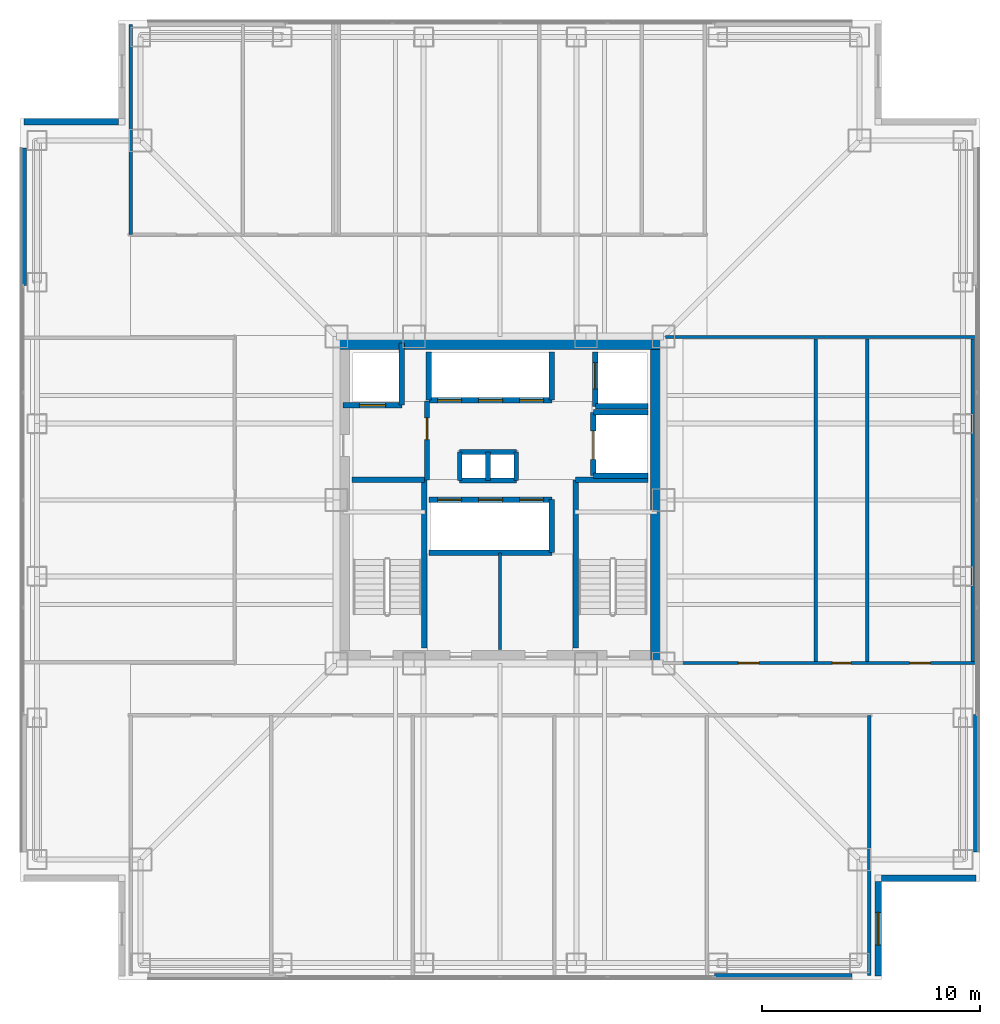
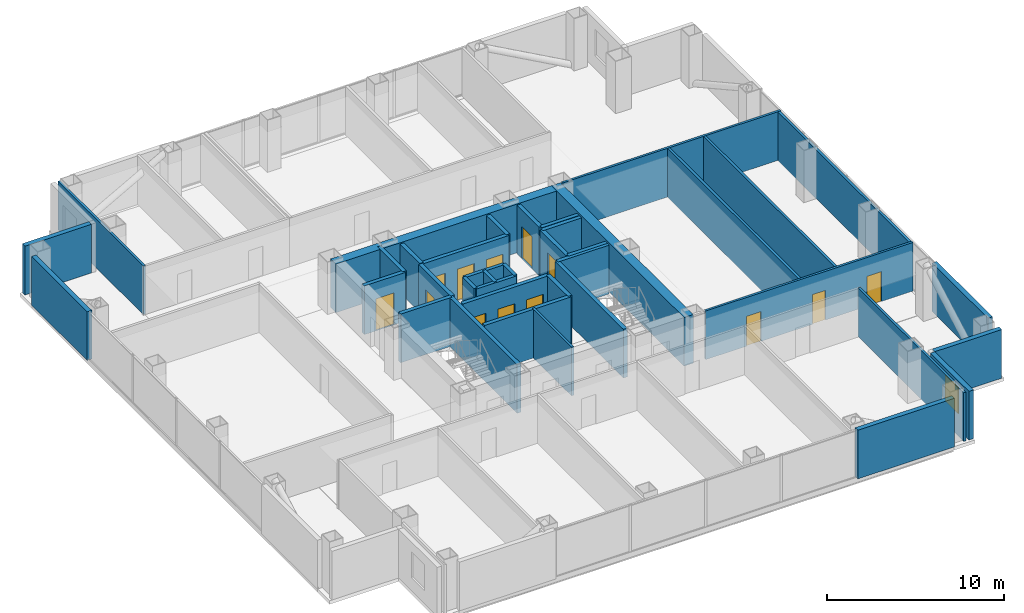
# One storey, part 9 of 13: 39 walls, 13 doors, 1 window, 14 openings.
"""IFC4 building model written with IfcOpenShell, lengths in metres."""

import ifcopenshell
import ifcopenshell.guid

model = None  # the IFC model being written
_history = None  # IfcOwnerHistory: only IFC2X3 demands one
_inside = {}  # id of a spatial element -> (the spatial element, [elements in it])
_under = {}  # id of a project, library or spatial element -> (it, [spatial elements below it])
_declared = {}  # id of a project -> (the project, [libraries it declares])
_typed = {}  # id of a type object -> (the type object, [elements of that type])
_made_of = {}  # id of a material, layer set ... -> (it, [elements and type objects made of it])


def new_model(schema):
    """Start an empty IFC model of exactly this schema.

    Asked for "IFC4X3", IfcOpenShell would pick the latest addendum, in which some entities
    have other attributes; the version numbers below select the first issue.
    IFC2X3 requires an IfcOwnerHistory on every rooted entity: one is made here for all.
    """
    global model, _history
    if schema == "IFC4X3":
        model = ifcopenshell.file(schema_version=(4, 3, 0, 0))
    else:
        model = ifcopenshell.file(schema=schema)
    _inside.clear()
    _under.clear()
    _declared.clear()
    _typed.clear()
    _made_of.clear()
    _history = None
    if model.schema == "IFC2X3":
        org = make("IfcOrganization", Name="unknown")
        user = make(
            "IfcPersonAndOrganization",
            ThePerson=make("IfcPerson", FamilyName="unknown"),
            TheOrganization=org,
        )
        app = make(
            "IfcApplication",
            ApplicationDeveloper=org,
            Version="unknown",
            ApplicationFullName="unknown",
            ApplicationIdentifier="unknown",
        )
        _history = make(
            "IfcOwnerHistory",
            OwningUser=user,
            OwningApplication=app,
            ChangeAction="ADDED",
            CreationDate=0,
        )
    return model


def make(cls, **values):
    """One entity of the class cls with the attributes given. An attribute that is None is left unset."""
    return model.create_entity(
        cls, **{name: value for name, value in values.items() if value is not None}
    )


def rooted(cls, **values):
    """An entity with a GlobalId (a new one), such as an element, a storey or a relation."""
    return make(cls, GlobalId=ifcopenshell.guid.new(), OwnerHistory=_history, **values)


def si_unit(unit_type, name, prefix=None):
    """IfcSIUnit, for example si_unit("LENGTHUNIT", "METRE", prefix="MILLI")."""
    return make("IfcSIUnit", UnitType=unit_type, Prefix=prefix, Name=name)


def assignment(units):
    """IfcUnitAssignment: the units of a project."""
    return None if units is None else make("IfcUnitAssignment", Units=units)


def point(xyz):
    """IfcCartesianPoint."""
    return None if xyz is None else make("IfcCartesianPoint", Coordinates=xyz)


def direction(xyz):
    """IfcDirection."""
    return None if xyz is None else make("IfcDirection", DirectionRatios=xyz)


def frame(location, z_axis=None, x_axis=None):
    """IfcAxis2Placement3D, a coordinate frame: its origin and axes. An axis left out is left unset."""
    return make(
        "IfcAxis2Placement3D",
        Location=point(location),
        Axis=direction(z_axis),
        RefDirection=direction(x_axis),
    )


def frame_2d(location, x_axis=None):
    """IfcAxis2Placement2D, a coordinate frame in the plane: its origin and x axis."""
    return make(
        "IfcAxis2Placement2D", Location=point(location), RefDirection=direction(x_axis)
    )


def origin():
    """The frame at (0, 0, 0) with its axes left unset."""
    return frame((0.0, 0.0, 0.0))


def place(relative_to, where):
    """IfcLocalPlacement: puts the frame where relative to a parent placement (None: the world)."""
    return make(
        "IfcLocalPlacement", PlacementRelTo=relative_to, RelativePlacement=where
    )


def context(
    kind, dimensions, precision=None, world=None, true_north=None, identifier=None
):
    """IfcGeometricRepresentationContext, for example the 3D "Model" context."""
    return make(
        "IfcGeometricRepresentationContext",
        ContextIdentifier=identifier,
        ContextType=kind,
        CoordinateSpaceDimension=dimensions,
        Precision=precision,
        WorldCoordinateSystem=world,
        TrueNorth=true_north,
    )


def subcontext(parent, identifier, kind, view, scale=None):
    """IfcGeometricRepresentationSubContext, for example "Body" below "Model"."""
    return make(
        "IfcGeometricRepresentationSubContext",
        ContextIdentifier=identifier,
        ContextType=kind,
        ParentContext=parent,
        TargetScale=scale,
        TargetView=view,
    )


def project(units=None, contexts=None):
    """IfcProject with its units and contexts."""
    return rooted(
        "IfcProject",
        Name="project",
        RepresentationContexts=contexts,
        UnitsInContext=assignment(units),
    )


def spatial(cls, under=None, at=None, **own):
    """A site, building, storey or space (cls), placed at a placement, below another one or the project."""
    s = rooted(cls, ObjectPlacement=at, **own)
    if under is not None:
        _under.setdefault(under.id(), (under, []))[1].append(s)
    return s


def profile(cls, at=None, kind="AREA", **sizes):
    """A parametric profile (cls). Its sizes go by their IFC names, for example OverallWidth=200.0."""
    return make(cls, ProfileType=kind, Position=at, **sizes)


def rectangle(**sizes):
    """IfcRectangleProfileDef."""
    return profile("IfcRectangleProfileDef", **sizes)


def extrude(swept, where, along, depth):
    """IfcExtrudedAreaSolid: the profile swept, set in the frame where, extruded along a direction by depth."""
    return make(
        "IfcExtrudedAreaSolid",
        SweptArea=swept,
        Position=where,
        ExtrudedDirection=direction(along),
        Depth=depth,
    )


def shape(context_of_items, identifier, shape_type, items):
    """IfcShapeRepresentation: the items that make up one representation, for example the "Body"."""
    return make(
        "IfcShapeRepresentation",
        ContextOfItems=context_of_items,
        RepresentationIdentifier=identifier,
        RepresentationType=shape_type,
        Items=items,
    )


def material(Name=None, Category=None):
    """IfcMaterial."""
    return make("IfcMaterial", Name=Name, Category=Category)


def layer(
    of_material, thickness, ventilated=None, Name=None, Category=None, Priority=None
):
    """IfcMaterialLayer: one layer of a wall or slab, of a material (None: an air gap)."""
    return make(
        "IfcMaterialLayer",
        Material=of_material,
        LayerThickness=thickness,
        IsVentilated=ventilated,
        Name=Name,
        Category=Category,
        Priority=Priority,
    )


def layer_set(layers, Name=None):
    """IfcMaterialLayerSet."""
    return make("IfcMaterialLayerSet", MaterialLayers=layers, LayerSetName=Name)


def made_of(thing, what):
    """Note that an element or type object is made of a material, layer set ...; save() writes the relation."""
    if what is not None:
        _made_of.setdefault(what.id(), (what, []))[1].append(thing)
    return thing


def type_object(cls, material=None, **own):
    """A type object (cls), such as IfcWallType, which elements share."""
    return made_of(rooted(cls, **own), material)


def element(
    cls,
    number,
    at=None,
    inside=None,
    cuts=None,
    type_object=None,
    material=None,
    context=None,
    identifier="Body",
    shape_type=None,
    held_by="IfcProductDefinitionShape",
    body=None,
    shapes=None,
    **own,
):
    """One element of the class cls, such as IfcWall. Its Tag is "e" and its number.

    at: its placement. inside: the storey or other place that contains it. cuts: it is an
    opening in that element (IfcRelVoidsElement). A single representation is given by context,
    identifier, shape_type and body (its items); several are given by shapes. held_by: the class
    of the entity that holds the representations. save() writes the other relations.
    """
    e = rooted(cls, Tag="e%d" % number, ObjectPlacement=at, **own)
    if body is not None:
        shapes = [shape(context, identifier, shape_type, body)]
    if shapes is not None:
        e.Representation = make(held_by, Representations=shapes)
    if inside is not None:
        _inside.setdefault(inside.id(), (inside, []))[1].append(e)
    if cuts is not None:
        rooted(
            "IfcRelVoidsElement", RelatingBuildingElement=cuts, RelatedOpeningElement=e
        )
    if type_object is not None:
        _typed.setdefault(type_object.id(), (type_object, []))[1].append(e)
    return made_of(e, material)


def fill(opening, filler):
    """IfcRelFillsElement: the door or window that sits in an opening."""
    return rooted(
        "IfcRelFillsElement",
        RelatingOpeningElement=opening,
        RelatedBuildingElement=filler,
    )


def aggregate(whole, parts):
    """IfcRelAggregates: a whole, such as a stair, and the parts it consists of."""
    return rooted("IfcRelAggregates", RelatingObject=whole, RelatedObjects=parts)


def save(model, path):
    """Write the relations noted so far, then the file.

    IfcRelAggregates (storeys below a building ...), IfcRelContainedInSpatialStructure (elements
    in a storey), IfcRelDefinesByType, IfcRelAssociatesMaterial and IfcRelDeclares: one each for
    every whole, place, type object, material and project.
    """
    for whole, parts in _under.values():
        aggregate(whole, parts)
    for where, things in _inside.values():
        rooted(
            "IfcRelContainedInSpatialStructure",
            RelatedElements=things,
            RelatingStructure=where,
        )
    for kind, things in _typed.values():
        rooted("IfcRelDefinesByType", RelatedObjects=things, RelatingType=kind)
    for what, things in _made_of.values():
        rooted("IfcRelAssociatesMaterial", RelatedObjects=things, RelatingMaterial=what)
    for by, libraries in _declared.values():
        rooted("IfcRelDeclares", RelatingContext=by, RelatedDefinitions=libraries)
    model.write(path)


model = new_model("IFC4")

# Units and contexts
model_context = context("Model", 3, precision=1e-05, world=origin(), true_north=direction((0.0, 1.0)))
body_context = subcontext(model_context, "Body", "Model", "MODEL_VIEW")
ifc_project = project(units=[si_unit("LENGTHUNIT", "METRE"), si_unit("AREAUNIT", "SQUARE_METRE"), si_unit("VOLUMEUNIT", "CUBIC_METRE"), si_unit("PLANEANGLEUNIT", "RADIAN"), si_unit("MASSUNIT", "GRAM", prefix="KILO")], contexts=[model_context])

# Site, building, storey
site_placement = place(None, origin())
site = spatial("IfcSite", under=ifc_project, at=site_placement, CompositionType="ELEMENT")
building_placement = place(site_placement, origin())
building = spatial("IfcBuilding", under=site, at=building_placement, Name="Trevonay Congress Spire", CompositionType="ELEMENT")
storey_placement = place(building_placement, frame((0.0, 0.0, 112.0)))
storey = spatial("IfcBuildingStorey", under=building, at=storey_placement, Name="L28", CompositionType="ELEMENT", Elevation=112.0)

# Walls
ifc_material_1 = material(Name="Concrete C60/75", Category="concrete")
ifc_layer_1 = layer(ifc_material_1, 0.60009765625, Name="Concrete C60/75")
ifc_layer_set_1 = layer_set([ifc_layer_1], Name="Concrete C60/75")
wall_type_1 = type_object("IfcWallType", Name="WAL-CORE-600", PredefinedType="SHEAR", material=ifc_layer_set_1)
for number, where, z_axis, x_axis, name in (
    (1, (-7.5, 7.199951171875, 0.0), (0.0, 0.0, 1.0), (1.0, 0.0, 0.0), "L28 North structural core shear wall"),
    (2, (7.199951171875, -7.5, 0.0), (0.0, 0.0, 1.0), (0.0, 1.0, 0.0), "L28 East structural core shear wall"),
):
    element("IfcWall", number, at=place(storey_placement, frame(where, z_axis=z_axis, x_axis=x_axis)), inside=storey, type_object=wall_type_1, Name=name, PredefinedType="SHEAR", context=body_context, shape_type="SweptSolid", body=[
        extrude(rectangle(XDim=15.0, YDim=0.60009765625, at=frame_2d((7.5, 0.0))), origin(), (0.0, 0.0, 1.0), 3.360107421875),
    ])

# Wall, openings, doors
ifc_material_2 = material(Name="Concrete C40/50", Category="concrete")
ifc_layer_2 = layer(ifc_material_2, 0.14990234375, Name="Concrete C40/50")
ifc_layer_set_2 = layer_set([ifc_layer_2], Name="Concrete C40/50")
wall_type_2 = type_object("IfcWallType", Name="WAL-CORR-150", PredefinedType="PARTITIONING", material=ifc_layer_set_2)
wall_1_placement = place(storey_placement, frame((8.280029296875, -7.47998046875, 0.0), z_axis=(0.0, 0.0, 1.0), x_axis=(1.0, 0.0, 0.0)))
wall_1 = element("IfcWall", 3, at=wall_1_placement, inside=storey, type_object=wall_type_2, Name="L28 interior wall WP-L28E-COR", PredefinedType="PARTITIONING", context=body_context, shape_type="SweptSolid", body=[
    extrude(rectangle(XDim=13.5400390625, YDim=0.14990234375, at=frame_2d((6.77001953125, 0.0))), origin(), (0.0, 0.0, 1.0), 3.360107421875),
])
opening_1_placement = place(wall_1_placement, frame((2.655029296875, 0.0, 0.0)))
opening_1 = element("IfcOpeningElement", 4, at=opening_1_placement, cuts=wall_1, Name="Opening D07", PredefinedType="OPENING", context=body_context, shape_type="SweptSolid", body=[
    extrude(rectangle(XDim=0.949951171875, YDim=2.06005859375, at=frame_2d((0.47509765625, 1.030029296875))), frame((0.0, 0.0849609375, 0.0), z_axis=(0.0, -1.0, 0.0), x_axis=(1.0, 0.0, 0.0)), (0.0, 0.0, 1.0), 0.169921875),
])
opening_2_placement = place(wall_1_placement, frame((6.969970703125, 0.0, 0.0)))
opening_2 = element("IfcOpeningElement", 5, at=opening_2_placement, cuts=wall_1, Name="Opening D10", PredefinedType="OPENING", context=body_context, shape_type="SweptSolid", body=[
    extrude(rectangle(XDim=0.85009765625, YDim=2.050048828125, at=frame_2d((0.425048828125, 1.02490234375))), frame((0.0, 0.0849609375, 0.0), z_axis=(0.0, -1.0, 0.0), x_axis=(1.0, 0.0, 0.0)), (0.0, 0.0, 1.0), 0.169921875),
])
opening_3_placement = place(wall_1_placement, frame((10.52001953125, 0.0, 0.0)))
opening_3 = element("IfcOpeningElement", 6, at=opening_3_placement, cuts=wall_1, Name="Opening D07", PredefinedType="OPENING", context=body_context, shape_type="SweptSolid", body=[
    extrude(rectangle(XDim=0.949951171875, YDim=2.06005859375, at=frame_2d((0.47509765625, 1.030029296875))), frame((0.0, 0.0849609375, 0.0), z_axis=(0.0, -1.0, 0.0), x_axis=(1.0, 0.0, 0.0)), (0.0, 0.0, 1.0), 0.169921875),
])
ifc_material_3 = material(Name="Pale Anodised Aluminium EN AW-6063-T6", Category="aluminium")
door_type_1 = type_object("IfcDoorType", Name="DOR-OFFICE-95", OperationType="NOTDEFINED", PredefinedType="DOOR", material=ifc_material_3)
door_1_placement = place(opening_1_placement, origin())
door_1 = element("IfcDoor", 7, at=door_1_placement, inside=storey, type_object=door_type_1, Name="L28 East Secretariat Office Door", OperationType="SINGLE_SWING_RIGHT", OverallHeight=2.06005859375, OverallWidth=0.949951171875, PredefinedType="DOOR", context=body_context, shape_type="SweptSolid", body=[
    extrude(rectangle(XDim=0.949951171875, YDim=2.06005859375, at=frame_2d((0.47509765625, 1.030029296875))), frame((0.0, 0.02490234375, 0.0), z_axis=(0.0, -1.0, 0.0), x_axis=(1.0, 0.0, 0.0)), (0.0, 0.0, 1.0), 0.050048828125),
])
fill(opening_1, door_1)
door_2_placement = place(opening_3_placement, origin())
door_2 = element("IfcDoor", 8, at=door_2_placement, inside=storey, type_object=door_type_1, Name="L28 Floor Supplies and Copy Room Door", OperationType="SINGLE_SWING_RIGHT", OverallHeight=2.06005859375, OverallWidth=0.949951171875, PredefinedType="DOOR", context=body_context, shape_type="SweptSolid", body=[
    extrude(rectangle(XDim=0.949951171875, YDim=2.06005859375, at=frame_2d((0.47509765625, 1.030029296875))), frame((0.0, 0.02490234375, 0.0), z_axis=(0.0, -1.0, 0.0), x_axis=(1.0, 0.0, 0.0)), (0.0, 0.0, 1.0), 0.050048828125),
])
fill(opening_3, door_2)
door_type_2 = type_object("IfcDoorType", Name="DOR-WC-85", OperationType="NOTDEFINED", PredefinedType="DOOR", material=ifc_material_3)
door_3_placement = place(opening_2_placement, origin())
door_3 = element("IfcDoor", 9, at=door_3_placement, inside=storey, type_object=door_type_2, Name="L28 Male Restroom WC Door", OperationType="SINGLE_SWING_LEFT", OverallHeight=2.050048828125, OverallWidth=0.85009765625, PredefinedType="DOOR", context=body_context, shape_type="SweptSolid", body=[
    extrude(rectangle(XDim=0.85009765625, YDim=2.050048828125, at=frame_2d((0.425048828125, 1.02490234375))), frame((0.0, 0.02490234375, 0.0), z_axis=(0.0, -1.0, 0.0), x_axis=(1.0, 0.0, 0.0)), (0.0, 0.0, 1.0), 0.050048828125),
])
fill(opening_2, door_3)

# Walls
ifc_material_4 = material(Name="Precast concrete C40/50", Category="concrete")
ifc_layer_3 = layer(ifc_material_4, 0.300048828125, Name="Precast concrete C40/50")
ifc_layer_set_3 = layer_set([ifc_layer_3], Name="Precast concrete C40/50")
wall_type_3 = type_object("IfcWallType", Name="WAL-EXT-PRECAST-300", PredefinedType="SOLIDWALL", material=ifc_layer_set_3)
for number, where, z_axis, x_axis, name in (
    (10, (9.85009765625, -21.8798828125, 0.0), (0.0, 0.0, 1.0), (1.0, 0.0, 0.0), "L28 SR braced-bay exterior pier wall"),
    (11, (-21.8798828125, 9.85009765625, 0.0), (0.0, 0.0, 1.0), (0.0, 1.0, 0.0), "L28 WR braced-bay exterior pier wall"),
    (12, (21.8798828125, -16.14990234375, 0.0), (0.0, 0.0, 1.0), (0.0, 1.0, 0.0), "L28 EL braced-bay exterior pier wall"),
):
    element("IfcWall", number, at=place(storey_placement, frame(where, z_axis=z_axis, x_axis=x_axis)), inside=storey, type_object=wall_type_3, Name=name, PredefinedType="SOLIDWALL", context=body_context, shape_type="SweptSolid", body=[
        extrude(rectangle(XDim=6.2998046875, YDim=0.300048828125, at=frame_2d((3.14990234375, 0.0))), origin(), (0.0, 0.0, 1.0), 3.360107421875),
    ])

# Wall, opening, window
wall_2_placement = place(storey_placement, frame((17.35009765625, -21.85009765625, 0.0), z_axis=(0.0, 0.0, 1.0), x_axis=(0.0, 1.0, 0.0)))
wall_2 = element("IfcWall", 13, at=wall_2_placement, inside=storey, type_object=wall_type_3, Name="L28 SE re-entrant notch exterior wall 1", PredefinedType="SOLIDWALL", context=body_context, shape_type="SweptSolid", body=[
    extrude(rectangle(XDim=4.35009765625, YDim=0.300048828125, at=frame_2d((2.175048828125, 0.0))), origin(), (0.0, 0.0, 1.0), 3.360107421875),
])
opening_4_placement = place(wall_2_placement, frame((1.425048828125, 0.0, 0.89990234375)))
opening_4 = element("IfcOpeningElement", 14, at=opening_4_placement, cuts=wall_2, Name="Opening WN03", PredefinedType="OPENING", context=body_context, shape_type="SweptSolid", body=[
    extrude(rectangle(XDim=1.5, YDim=1.800048828125, at=frame_2d((0.75, 0.89990234375))), frame((0.0, 0.16015625, 0.0), z_axis=(0.0, -1.0, 0.0), x_axis=(1.0, 0.0, 0.0)), (0.0, 0.0, 1.0), 0.320068359375),
])
ifc_material_5 = material(Name="Insulated Low-E Vision Glass IGU", Category="glass")
window_type = type_object("IfcWindowType", Name="WIN-NOTCH-150X180", PartitioningType="SINGLE_PANEL", PredefinedType="WINDOW", material=ifc_material_5)
window_placement = place(opening_4_placement, origin())
window = element("IfcWindow", 15, at=window_placement, inside=storey, type_object=window_type, Name="L28 SE corner notch window", OverallHeight=1.800048828125, OverallWidth=1.5, PartitioningType="SINGLE_PANEL", PredefinedType="WINDOW", context=body_context, shape_type="SweptSolid", body=[
    extrude(rectangle(XDim=1.5, YDim=1.800048828125, at=frame_2d((0.75, 0.89990234375))), frame((0.0, 0.030029296875, 0.0), z_axis=(0.0, -1.0, 0.0), x_axis=(1.0, 0.0, 0.0)), (0.0, 0.0, 1.0), 0.06005859375),
])
fill(opening_4, window)

# Walls
for number, where, z_axis, x_axis, name in (
    (16, (21.85009765625, -17.35009765625, 0.0), (0.0, 0.0, 1.0), (-1.0, 0.0, 0.0), "L28 SE re-entrant notch exterior wall 2"),
    (17, (-21.85009765625, 17.35009765625, 0.0), (0.0, 0.0, 1.0), (1.0, 0.0, 0.0), "L28 NW re-entrant notch exterior wall 2"),
):
    element("IfcWall", number, at=place(storey_placement, frame(where, z_axis=z_axis, x_axis=x_axis)), inside=storey, type_object=wall_type_3, Name=name, PredefinedType="SOLIDWALL", context=body_context, shape_type="SweptSolid", body=[
        extrude(rectangle(XDim=4.35009765625, YDim=0.300048828125, at=frame_2d((2.175048828125, 0.0))), origin(), (0.0, 0.0, 1.0), 3.360107421875),
    ])
ifc_layer_4 = layer(ifc_material_2, 0.14990234375, Name="Concrete C40/50")
ifc_layer_set_4 = layer_set([ifc_layer_4], Name="Concrete C40/50")
wall_type_4 = type_object("IfcWallType", Name="WAL-PART-150", PredefinedType="PARTITIONING", material=ifc_layer_set_4)
wall_3_placement = place(storey_placement, frame((0.0, -6.85009765625, 0.0), z_axis=(0.0, 0.0, 1.0), x_axis=(0.0, 1.0, 0.0)))
element("IfcWall", 18, at=wall_3_placement, inside=storey, type_object=wall_type_4, Name="L28 interior wall CW-F0-L28", PredefinedType="PARTITIONING", context=body_context, shape_type="SweptSolid", body=[
    extrude(rectangle(XDim=4.420166015625, YDim=0.14990234375, at=frame_2d((2.2099609375, 0.0))), origin(), (0.0, 0.0, 1.0), 3.360107421875),
])
wall_4_placement = place(storey_placement, frame((16.949951171875, -21.820068359375, 0.0), z_axis=(0.0, 0.0, 1.0), x_axis=(0.0, 1.0, 0.0)))
element("IfcWall", 19, at=wall_4_placement, inside=storey, type_object=wall_type_4, Name="L28 interior wall WP-L28S-DIV6", PredefinedType="PARTITIONING", context=body_context, shape_type="SweptSolid", body=[
    extrude(rectangle(XDim=11.940185546875, YDim=0.14990234375, at=frame_2d((5.97021484375, 0.0))), origin(), (0.0, 0.0, 1.0), 3.360107421875),
])
wall_5_placement = place(storey_placement, frame((-16.949951171875, 12.179931640625, 0.0), z_axis=(0.0, 0.0, 1.0), x_axis=(0.0, 1.0, 0.0)))
element("IfcWall", 20, at=wall_5_placement, inside=storey, type_object=wall_type_4, Name="L28 interior wall WP-L28NW-DIV1", PredefinedType="PARTITIONING", context=body_context, shape_type="SweptSolid", body=[
    extrude(rectangle(XDim=9.64013671875, YDim=0.14990234375, at=frame_2d((4.820068359375, 0.0))), origin(), (0.0, 0.0, 1.0), 3.360107421875),
])
wall_6_placement = place(storey_placement, frame((7.60009765625, 7.47998046875, 0.0), z_axis=(0.0, 0.0, 1.0), x_axis=(1.0, 0.0, 0.0)))
element("IfcWall", 21, at=wall_6_placement, inside=storey, type_object=wall_type_4, Name="L28 interior wall WP-L28E-NCLS", PredefinedType="PARTITIONING", context=body_context, shape_type="SweptSolid", body=[
    extrude(rectangle(XDim=14.219970703125, YDim=0.14990234375, at=frame_2d((7.10986328125, 0.0))), origin(), (0.0, 0.0, 1.0), 3.360107421875),
])
ifc_layer_5 = layer(ifc_material_2, 0.219970703125, Name="Concrete C40/50")
ifc_layer_set_5 = layer_set([ifc_layer_5], Name="Concrete C40/50")
wall_type_5 = type_object("IfcWallType", Name="WAL-SHAFT-220", PredefinedType="PARTITIONING", material=ifc_layer_set_5)
for number, where, z_axis, x_axis, name in (
    (22, (-1.85009765625, 2.199951171875, 0.0), (0.0, 0.0, 1.0), (1.0, 0.0, 0.0), "L28 interior shaft wall WSH-L28-RSR-N"),
    (23, (-1.85009765625, 0.89990234375, 0.0), (0.0, 0.0, 1.0), (1.0, 0.0, 0.0), "L28 interior shaft wall WSH-L28-RSR-S"),
):
    element("IfcWall", number, at=place(storey_placement, frame(where, z_axis=z_axis, x_axis=x_axis)), inside=storey, type_object=wall_type_5, Name=name, PredefinedType="PARTITIONING", context=body_context, shape_type="SweptSolid", body=[
        extrude(rectangle(XDim=2.60009765625, YDim=0.219970703125, at=frame_2d((1.300048828125, 0.0))), origin(), (0.0, 0.0, 1.0), 3.360107421875),
    ])
for number, where, z_axis, x_axis, name in (
    (24, (-0.550048828125, 0.89990234375, 0.0), (0.0, 0.0, 1.0), (0.0, 1.0, 0.0), "L28 interior shaft wall WSH-L28-RSR-M"),
    (25, (0.75, 0.89990234375, 0.0), (0.0, 0.0, 1.0), (0.0, 1.0, 0.0), "L28 interior shaft wall WSH-L28-RSR-E"),
    (26, (-1.85009765625, 0.89990234375, 0.0), (0.0, 0.0, 1.0), (0.0, 1.0, 0.0), "L28 interior shaft wall WSH-L28-RSR-W"),
):
    element("IfcWall", number, at=place(storey_placement, frame(where, z_axis=z_axis, x_axis=x_axis)), inside=storey, type_object=wall_type_5, Name=name, PredefinedType="PARTITIONING", context=body_context, shape_type="SweptSolid", body=[
        extrude(rectangle(XDim=1.300048828125, YDim=0.219970703125, at=frame_2d((0.64990234375, 0.0))), origin(), (0.0, 0.0, 1.0), 3.360107421875),
    ])

# Wall, openings, doors
ifc_layer_6 = layer(ifc_material_2, 0.25, Name="Concrete C40/50")
ifc_layer_set_6 = layer_set([ifc_layer_6], Name="Concrete C40/50")
wall_type_6 = type_object("IfcWallType", Name="WAL-SHAFT-250", PredefinedType="SHEAR", material=ifc_layer_set_6)
wall_7_placement = place(storey_placement, frame((-3.260009765625, 0.02001953125, 0.0), z_axis=(0.0, 0.0, 1.0), x_axis=(1.0, 0.0, 0.0)))
wall_7 = element("IfcWall", 27, at=wall_7_placement, inside=storey, type_object=wall_type_6, Name="L28 interior shaft wall WSH-L28-B2-N", PredefinedType="SHEAR", context=body_context, shape_type="SweptSolid", body=[
    extrude(rectangle(XDim=5.639892578125, YDim=0.25, at=frame_2d((2.81982421875, 0.0))), origin(), (0.0, 0.0, 1.0), 3.360107421875),
])
opening_5_placement = place(wall_7_placement, frame((0.39990234375, 0.0, 0.0)))
opening_5 = element("IfcOpeningElement", 28, at=opening_5_placement, cuts=wall_7, Name="Opening LD02", PredefinedType="OPENING", context=body_context, shape_type="SweptSolid", body=[
    extrude(rectangle(XDim=1.10009765625, YDim=2.199951171875, at=frame_2d((0.550048828125, 1.10009765625))), frame((0.0, 0.135009765625, 0.0), z_axis=(0.0, -1.0, 0.0), x_axis=(1.0, 0.0, 0.0)), (0.0, 0.0, 1.0), 0.27001953125),
])
opening_6_placement = place(wall_7_placement, frame((2.280029296875, 0.0, 0.0)))
opening_6 = element("IfcOpeningElement", 29, at=opening_6_placement, cuts=wall_7, Name="Opening LD02", PredefinedType="OPENING", context=body_context, shape_type="SweptSolid", body=[
    extrude(rectangle(XDim=1.10009765625, YDim=2.199951171875, at=frame_2d((0.550048828125, 1.10009765625))), frame((0.0, 0.135009765625, 0.0), z_axis=(0.0, -1.0, 0.0), x_axis=(1.0, 0.0, 0.0)), (0.0, 0.0, 1.0), 0.27001953125),
])
opening_7_placement = place(wall_7_placement, frame((4.159912109375, 0.0, 0.0)))
opening_7 = element("IfcOpeningElement", 30, at=opening_7_placement, cuts=wall_7, Name="Opening LD02", PredefinedType="OPENING", context=body_context, shape_type="SweptSolid", body=[
    extrude(rectangle(XDim=1.10009765625, YDim=2.199951171875, at=frame_2d((0.550048828125, 1.10009765625))), frame((0.0, 0.135009765625, 0.0), z_axis=(0.0, -1.0, 0.0), x_axis=(1.0, 0.0, 0.0)), (0.0, 0.0, 1.0), 0.27001953125),
])
door_type_3 = type_object("IfcDoorType", Name="DOR-LIFT-LD02", OperationType="DOUBLE_DOOR_SLIDING", PredefinedType="DOOR", material=ifc_material_3)
door_4_placement = place(opening_5_placement, origin())
door_4 = element("IfcDoor", 31, at=door_4_placement, inside=storey, type_object=door_type_3, Name="L28 Passenger lift PL-04 landing door", OperationType="DOUBLE_DOOR_SLIDING", OverallHeight=2.199951171875, OverallWidth=1.10009765625, PredefinedType="DOOR", context=body_context, shape_type="SweptSolid", body=[
    extrude(rectangle(XDim=1.10009765625, YDim=2.199951171875, at=frame_2d((0.550048828125, 1.10009765625))), frame((0.0, 0.02490234375, 0.0), z_axis=(0.0, -1.0, 0.0), x_axis=(1.0, 0.0, 0.0)), (0.0, 0.0, 1.0), 0.050048828125),
])
fill(opening_5, door_4)
door_5_placement = place(opening_6_placement, origin())
door_5 = element("IfcDoor", 32, at=door_5_placement, inside=storey, type_object=door_type_3, Name="L28 Passenger lift PL-05 landing door", OperationType="DOUBLE_DOOR_SLIDING", OverallHeight=2.199951171875, OverallWidth=1.10009765625, PredefinedType="DOOR", context=body_context, shape_type="SweptSolid", body=[
    extrude(rectangle(XDim=1.10009765625, YDim=2.199951171875, at=frame_2d((0.550048828125, 1.10009765625))), frame((0.0, 0.02490234375, 0.0), z_axis=(0.0, -1.0, 0.0), x_axis=(1.0, 0.0, 0.0)), (0.0, 0.0, 1.0), 0.050048828125),
])
fill(opening_6, door_5)
door_6_placement = place(opening_7_placement, origin())
door_6 = element("IfcDoor", 33, at=door_6_placement, inside=storey, type_object=door_type_3, Name="L28 Passenger lift PL-06 landing door", OperationType="DOUBLE_DOOR_SLIDING", OverallHeight=2.199951171875, OverallWidth=1.10009765625, PredefinedType="DOOR", context=body_context, shape_type="SweptSolid", body=[
    extrude(rectangle(XDim=1.10009765625, YDim=2.199951171875, at=frame_2d((0.550048828125, 1.10009765625))), frame((0.0, 0.02490234375, 0.0), z_axis=(0.0, -1.0, 0.0), x_axis=(1.0, 0.0, 0.0)), (0.0, 0.0, 1.0), 0.050048828125),
])
fill(opening_7, door_6)

# Walls
wall_8_placement = place(storey_placement, frame((-3.260009765625, -2.419921875, 0.0), z_axis=(0.0, 0.0, 1.0), x_axis=(1.0, 0.0, 0.0)))
element("IfcWall", 34, at=wall_8_placement, inside=storey, type_object=wall_type_6, Name="L28 interior shaft wall WSH-L28-B2-S", PredefinedType="SHEAR", context=body_context, shape_type="SweptSolid", body=[
    extrude(rectangle(XDim=5.639892578125, YDim=0.25, at=frame_2d((2.81982421875, 0.0))), origin(), (0.0, 0.0, 1.0), 3.360107421875),
])
wall_9_placement = place(storey_placement, frame((2.3798828125, -2.419921875, 0.0), z_axis=(0.0, 0.0, 1.0), x_axis=(0.0, 1.0, 0.0)))
element("IfcWall", 35, at=wall_9_placement, inside=storey, type_object=wall_type_6, Name="L28 interior shaft wall WSH-L28-B2-E", PredefinedType="SHEAR", context=body_context, shape_type="SweptSolid", body=[
    extrude(rectangle(XDim=2.43994140625, YDim=0.25, at=frame_2d((1.219970703125, 0.0))), origin(), (0.0, 0.0, 1.0), 3.360107421875),
])

# Wall, openings, doors
wall_10_placement = place(storey_placement, frame((-3.260009765625, 4.580078125, 0.0), z_axis=(0.0, 0.0, 1.0), x_axis=(1.0, 0.0, 0.0)))
wall_10 = element("IfcWall", 36, at=wall_10_placement, inside=storey, type_object=wall_type_6, Name="L28 interior shaft wall WSH-L28-B3-S", PredefinedType="SHEAR", context=body_context, shape_type="SweptSolid", body=[
    extrude(rectangle(XDim=5.639892578125, YDim=0.25, at=frame_2d((2.81982421875, 0.0))), origin(), (0.0, 0.0, 1.0), 3.360107421875),
])
opening_8_placement = place(wall_10_placement, frame((0.39990234375, 0.0, 0.0)))
opening_8 = element("IfcOpeningElement", 37, at=opening_8_placement, cuts=wall_10, Name="Opening LD03", PredefinedType="OPENING", context=body_context, shape_type="SweptSolid", body=[
    extrude(rectangle(XDim=1.10009765625, YDim=2.199951171875, at=frame_2d((0.550048828125, 1.10009765625))), frame((0.0, 0.135009765625, 0.0), z_axis=(0.0, -1.0, 0.0), x_axis=(1.0, 0.0, 0.0)), (0.0, 0.0, 1.0), 0.27001953125),
])
opening_9_placement = place(wall_10_placement, frame((2.280029296875, 0.0, 0.0)))
opening_9 = element("IfcOpeningElement", 38, at=opening_9_placement, cuts=wall_10, Name="Opening LD03", PredefinedType="OPENING", context=body_context, shape_type="SweptSolid", body=[
    extrude(rectangle(XDim=1.10009765625, YDim=2.199951171875, at=frame_2d((0.550048828125, 1.10009765625))), frame((0.0, 0.135009765625, 0.0), z_axis=(0.0, -1.0, 0.0), x_axis=(1.0, 0.0, 0.0)), (0.0, 0.0, 1.0), 0.27001953125),
])
opening_10_placement = place(wall_10_placement, frame((4.159912109375, 0.0, 0.0)))
opening_10 = element("IfcOpeningElement", 39, at=opening_10_placement, cuts=wall_10, Name="Opening LD03", PredefinedType="OPENING", context=body_context, shape_type="SweptSolid", body=[
    extrude(rectangle(XDim=1.10009765625, YDim=2.199951171875, at=frame_2d((0.550048828125, 1.10009765625))), frame((0.0, 0.135009765625, 0.0), z_axis=(0.0, -1.0, 0.0), x_axis=(1.0, 0.0, 0.0)), (0.0, 0.0, 1.0), 0.27001953125),
])
door_type_4 = type_object("IfcDoorType", Name="DOR-LIFT-LD03", OperationType="DOUBLE_DOOR_SLIDING", PredefinedType="DOOR", material=ifc_material_3)
door_7_placement = place(opening_8_placement, origin())
door_7 = element("IfcDoor", 40, at=door_7_placement, inside=storey, type_object=door_type_4, Name="L28 Passenger lift PL-07 landing door", OperationType="DOUBLE_DOOR_SLIDING", OverallHeight=2.199951171875, OverallWidth=1.10009765625, PredefinedType="DOOR", context=body_context, shape_type="SweptSolid", body=[
    extrude(rectangle(XDim=1.10009765625, YDim=2.199951171875, at=frame_2d((0.550048828125, 1.10009765625))), frame((0.0, 0.02490234375, 0.0), z_axis=(0.0, -1.0, 0.0), x_axis=(1.0, 0.0, 0.0)), (0.0, 0.0, 1.0), 0.050048828125),
])
fill(opening_8, door_7)
door_8_placement = place(opening_9_placement, origin())
door_8 = element("IfcDoor", 41, at=door_8_placement, inside=storey, type_object=door_type_4, Name="L28 Passenger lift PL-08 landing door", OperationType="DOUBLE_DOOR_SLIDING", OverallHeight=2.199951171875, OverallWidth=1.10009765625, PredefinedType="DOOR", context=body_context, shape_type="SweptSolid", body=[
    extrude(rectangle(XDim=1.10009765625, YDim=2.199951171875, at=frame_2d((0.550048828125, 1.10009765625))), frame((0.0, 0.02490234375, 0.0), z_axis=(0.0, -1.0, 0.0), x_axis=(1.0, 0.0, 0.0)), (0.0, 0.0, 1.0), 0.050048828125),
])
fill(opening_9, door_8)
door_9_placement = place(opening_10_placement, origin())
door_9 = element("IfcDoor", 42, at=door_9_placement, inside=storey, type_object=door_type_4, Name="L28 Passenger lift PL-09 landing door", OperationType="DOUBLE_DOOR_SLIDING", OverallHeight=2.199951171875, OverallWidth=1.10009765625, PredefinedType="DOOR", context=body_context, shape_type="SweptSolid", body=[
    extrude(rectangle(XDim=1.10009765625, YDim=2.199951171875, at=frame_2d((0.550048828125, 1.10009765625))), frame((0.0, 0.02490234375, 0.0), z_axis=(0.0, -1.0, 0.0), x_axis=(1.0, 0.0, 0.0)), (0.0, 0.0, 1.0), 0.050048828125),
])
fill(opening_10, door_9)

# Walls
for number, where, z_axis, x_axis, name in (
    (43, (-3.260009765625, 4.580078125, 0.0), (0.0, 0.0, 1.0), (0.0, 1.0, 0.0), "L28 interior shaft wall WSH-L28-B3-W"),
    (44, (2.3798828125, 4.580078125, 0.0), (0.0, 0.0, 1.0), (0.0, 1.0, 0.0), "L28 interior shaft wall WSH-L28-B3-E"),
):
    element("IfcWall", number, at=place(storey_placement, frame(where, z_axis=z_axis, x_axis=x_axis)), inside=storey, type_object=wall_type_6, Name=name, PredefinedType="SHEAR", context=body_context, shape_type="SweptSolid", body=[
        extrude(rectangle(XDim=2.219970703125, YDim=0.25, at=frame_2d((1.10986328125, 0.0))), origin(), (0.0, 0.0, 1.0), 3.360107421875),
    ])

# Wall, opening, door
wall_11_placement = place(storey_placement, frame((-7.199951171875, 4.35009765625, 0.0), z_axis=(0.0, 0.0, 1.0), x_axis=(1.0, 0.0, 0.0)))
wall_11 = element("IfcWall", 45, at=wall_11_placement, inside=storey, type_object=wall_type_6, Name="L28 interior shaft wall WSH-L28-FF1-S", PredefinedType="SHEAR", context=body_context, shape_type="SweptSolid", body=[
    extrude(rectangle(XDim=2.699951171875, YDim=0.25, at=frame_2d((1.35009765625, 0.0))), origin(), (0.0, 0.0, 1.0), 3.360107421875),
])
opening_11_placement = place(wall_11_placement, frame((0.75, 0.0, 0.0)))
opening_11 = element("IfcOpeningElement", 46, at=opening_11_placement, cuts=wall_11, Name="Opening LD04", PredefinedType="OPENING", context=body_context, shape_type="SweptSolid", body=[
    extrude(rectangle(XDim=1.199951171875, YDim=2.199951171875, at=frame_2d((0.60009765625, 1.10009765625))), frame((0.0, 0.135009765625, 0.0), z_axis=(0.0, -1.0, 0.0), x_axis=(1.0, 0.0, 0.0)), (0.0, 0.0, 1.0), 0.27001953125),
])
ifc_material_6 = material(Name="Steel ASTM A572 Grade 50", Category="steel")
door_type_5 = type_object("IfcDoorType", Name="DOR-LIFT-LD04", OperationType="DOUBLE_DOOR_SLIDING", PredefinedType="DOOR", material=ifc_material_6)
door_10_placement = place(opening_11_placement, origin())
door_10 = element("IfcDoor", 47, at=door_10_placement, inside=storey, type_object=door_type_5, Name="L28 Firefighting lift FFL-01 landing door", OperationType="DOUBLE_DOOR_SLIDING", OverallHeight=2.199951171875, OverallWidth=1.199951171875, PredefinedType="DOOR", context=body_context, shape_type="SweptSolid", body=[
    extrude(rectangle(XDim=1.199951171875, YDim=2.199951171875, at=frame_2d((0.60009765625, 1.10009765625))), frame((0.0, 0.02490234375, 0.0), z_axis=(0.0, -1.0, 0.0), x_axis=(1.0, 0.0, 0.0)), (0.0, 0.0, 1.0), 0.050048828125),
])
fill(opening_11, door_10)

# Walls
wall_12_placement = place(storey_placement, frame((-4.5, 4.35009765625, 0.0), z_axis=(0.0, 0.0, 1.0), x_axis=(0.0, 1.0, 0.0)))
element("IfcWall", 48, at=wall_12_placement, inside=storey, type_object=wall_type_6, Name="L28 interior shaft wall WSH-L28-FF1-E", PredefinedType="SHEAR", context=body_context, shape_type="SweptSolid", body=[
    extrude(rectangle(XDim=2.849853515625, YDim=0.25, at=frame_2d((1.4248046875, 0.0))), origin(), (0.0, 0.0, 1.0), 3.360107421875),
])
wall_13_placement = place(storey_placement, frame((4.3798828125, 4.300048828125, 0.0), z_axis=(0.0, 0.0, 1.0), x_axis=(1.0, 0.0, 0.0)))
element("IfcWall", 49, at=wall_13_placement, inside=storey, type_object=wall_type_6, Name="L28 interior shaft wall WSH-L28-FF2-S", PredefinedType="SHEAR", context=body_context, shape_type="SweptSolid", body=[
    extrude(rectangle(XDim=2.420166015625, YDim=0.25, at=frame_2d((1.2099609375, 0.0))), origin(), (0.0, 0.0, 1.0), 3.360107421875),
])

# Wall, opening, door
wall_14_placement = place(storey_placement, frame((4.3798828125, 4.300048828125, 0.0), z_axis=(0.0, 0.0, 1.0), x_axis=(0.0, 1.0, 0.0)))
wall_14 = element("IfcWall", 50, at=wall_14_placement, inside=storey, type_object=wall_type_6, Name="L28 interior shaft wall WSH-L28-FF2-W", PredefinedType="SHEAR", context=body_context, shape_type="SweptSolid", body=[
    extrude(rectangle(XDim=2.5, YDim=0.25, at=frame_2d((1.25, 0.0))), origin(), (0.0, 0.0, 1.0), 3.360107421875),
])
opening_12_placement = place(wall_14_placement, frame((0.800048828125, 0.0, 0.0)))
opening_12 = element("IfcOpeningElement", 51, at=opening_12_placement, cuts=wall_14, Name="Opening LD04", PredefinedType="OPENING", context=body_context, shape_type="SweptSolid", body=[
    extrude(rectangle(XDim=1.199951171875, YDim=2.199951171875, at=frame_2d((0.60009765625, 1.10009765625))), frame((0.0, 0.135009765625, 0.0), z_axis=(0.0, -1.0, 0.0), x_axis=(1.0, 0.0, 0.0)), (0.0, 0.0, 1.0), 0.27001953125),
])
door_11_placement = place(opening_12_placement, origin())
door_11 = element("IfcDoor", 52, at=door_11_placement, inside=storey, type_object=door_type_5, Name="L28 Firefighting lift FFL-02 landing door", OperationType="DOUBLE_DOOR_SLIDING", OverallHeight=2.199951171875, OverallWidth=1.199951171875, PredefinedType="DOOR", context=body_context, shape_type="SweptSolid", body=[
    extrude(rectangle(XDim=1.199951171875, YDim=2.199951171875, at=frame_2d((0.60009765625, 1.10009765625))), frame((0.0, 0.02490234375, 0.0), z_axis=(0.0, -1.0, 0.0), x_axis=(1.0, 0.0, 0.0)), (0.0, 0.0, 1.0), 0.050048828125),
])
fill(opening_12, door_11)

wall_15_placement = place(storey_placement, frame((4.280029296875, 1.1201171875, 0.0), z_axis=(0.0, 0.0, 1.0), x_axis=(0.0, 1.0, 0.0)))
wall_15 = element("IfcWall", 53, at=wall_15_placement, inside=storey, type_object=wall_type_6, Name="L28 interior shaft wall WSH-L28-SV-W", PredefinedType="SHEAR", context=body_context, shape_type="SweptSolid", body=[
    extrude(rectangle(XDim=2.89990234375, YDim=0.25, at=frame_2d((1.449951171875, 0.0))), origin(), (0.0, 0.0, 1.0), 3.360107421875),
])
opening_13_placement = place(wall_15_placement, frame((0.75, 0.0, 0.0)))
opening_13 = element("IfcOpeningElement", 54, at=opening_13_placement, cuts=wall_15, Name="Opening LD05", PredefinedType="OPENING", context=body_context, shape_type="SweptSolid", body=[
    extrude(rectangle(XDim=1.300048828125, YDim=2.300048828125, at=frame_2d((0.64990234375, 1.14990234375))), frame((0.0, 0.135009765625, 0.0), z_axis=(0.0, -1.0, 0.0), x_axis=(1.0, 0.0, 0.0)), (0.0, 0.0, 1.0), 0.27001953125),
])
door_type_6 = type_object("IfcDoorType", Name="DOR-LIFT-LD05", OperationType="DOUBLE_DOOR_SLIDING", PredefinedType="DOOR", material=ifc_material_6)
door_12_placement = place(opening_13_placement, origin())
door_12 = element("IfcDoor", 55, at=door_12_placement, inside=storey, type_object=door_type_6, Name="L28 Goods lift SVL-01 landing door", OperationType="DOUBLE_DOOR_SLIDING", OverallHeight=2.300048828125, OverallWidth=1.300048828125, PredefinedType="DOOR", context=body_context, shape_type="SweptSolid", body=[
    extrude(rectangle(XDim=1.300048828125, YDim=2.300048828125, at=frame_2d((0.64990234375, 1.14990234375))), frame((0.0, 0.02490234375, 0.0), z_axis=(0.0, -1.0, 0.0), x_axis=(1.0, 0.0, 0.0)), (0.0, 0.0, 1.0), 0.050048828125),
])
fill(opening_13, door_12)

# Walls
for number, where, z_axis, x_axis, name in (
    (56, (4.280029296875, 1.1201171875, 0.0), (0.0, 0.0, 1.0), (1.0, 0.0, 0.0), "L28 interior shaft wall WSH-L28-SV-S"),
    (57, (4.280029296875, 4.02001953125, 0.0), (0.0, 0.0, 1.0), (1.0, 0.0, 0.0), "L28 interior shaft wall WSH-L28-SV-N"),
):
    element("IfcWall", number, at=place(storey_placement, frame(where, z_axis=z_axis, x_axis=x_axis)), inside=storey, type_object=wall_type_6, Name=name, PredefinedType="SHEAR", context=body_context, shape_type="SweptSolid", body=[
        extrude(rectangle(XDim=2.52001953125, YDim=0.25, at=frame_2d((1.260009765625, 0.0))), origin(), (0.0, 0.0, 1.0), 3.360107421875),
    ])

# Wall, opening, door
wall_16_placement = place(storey_placement, frame((-3.35009765625, 0.919921875, 0.0), z_axis=(0.0, 0.0, 1.0), x_axis=(0.0, 1.0, 0.0)))
wall_16 = element("IfcWall", 58, at=wall_16_placement, inside=storey, type_object=wall_type_6, Name="L28 interior wall CW-FFLW-E-L28", PredefinedType="SHEAR", context=body_context, shape_type="SweptSolid", body=[
    extrude(rectangle(XDim=3.6201171875, YDim=0.25, at=frame_2d((1.81005859375, 0.0))), origin(), (0.0, 0.0, 1.0), 3.360107421875),
])
opening_14_placement = place(wall_16_placement, frame((1.85009765625, 0.0, 0.0)))
opening_14 = element("IfcOpeningElement", 59, at=opening_14_placement, cuts=wall_16, Name="Opening D06", PredefinedType="OPENING", context=body_context, shape_type="SweptSolid", body=[
    extrude(rectangle(XDim=1.0, YDim=2.080078125, at=frame_2d((0.5, 1.0400390625))), frame((0.0, 0.135009765625, 0.0), z_axis=(0.0, -1.0, 0.0), x_axis=(1.0, 0.0, 0.0)), (0.0, 0.0, 1.0), 0.27001953125),
])
door_type_7 = type_object("IfcDoorType", Name="DOR-FIRE-100", OperationType="NOTDEFINED", PredefinedType="DOOR", material=ifc_material_6)
door_13_placement = place(opening_14_placement, origin())
door_13 = element("IfcDoor", 60, at=door_13_placement, inside=storey, type_object=door_type_7, Name="L28 Firefighting Core Lobby Transfer Door", OperationType="SINGLE_SWING_RIGHT", OverallHeight=2.080078125, OverallWidth=1.0, PredefinedType="DOOR", context=body_context, shape_type="SweptSolid", body=[
    extrude(rectangle(XDim=1.0, YDim=2.080078125, at=frame_2d((0.5, 1.0400390625))), frame((0.0, 0.02490234375, 0.0), z_axis=(0.0, -1.0, 0.0), x_axis=(1.0, 0.0, 0.0)), (0.0, 0.0, 1.0), 0.050048828125),
])
fill(opening_14, door_13)

# Walls
ifc_layer_7 = layer(ifc_material_2, 0.25, Name="Concrete C40/50")
ifc_layer_set_7 = layer_set([ifc_layer_7], Name="Concrete C40/50")
wall_type_7 = type_object("IfcWallType", Name="WAL-SHAFT-LB-250", PredefinedType="SHEAR", material=ifc_layer_set_7)
wall_17_placement = place(storey_placement, frame((-3.469970703125, -6.800048828125, 0.0), z_axis=(0.0, 0.0, 1.0), x_axis=(0.0, 1.0, 0.0)))
element("IfcWall", 61, at=wall_17_placement, inside=storey, type_object=wall_type_7, Name="L28 interior shaft wall WSH-L28-ST1-E", PredefinedType="SHEAR", context=body_context, shape_type="SweptSolid", body=[
    extrude(rectangle(XDim=7.719970703125, YDim=0.25, at=frame_2d((3.85986328125, 0.0))), origin(), (0.0, 0.0, 1.0), 3.360107421875),
])
wall_18_placement = place(storey_placement, frame((-6.800048828125, 0.919921875, 0.0), z_axis=(0.0, 0.0, 1.0), x_axis=(1.0, 0.0, 0.0)))
element("IfcWall", 62, at=wall_18_placement, inside=storey, type_object=wall_type_7, Name="L28 interior shaft wall WSH-L28-ST1-N", PredefinedType="SHEAR", context=body_context, shape_type="SweptSolid", body=[
    extrude(rectangle(XDim=3.330078125, YDim=0.25, at=frame_2d((1.6650390625, 0.0))), origin(), (0.0, 0.0, 1.0), 3.360107421875),
])
wall_19_placement = place(storey_placement, frame((3.469970703125, -6.800048828125, 0.0), z_axis=(0.0, 0.0, 1.0), x_axis=(0.0, 1.0, 0.0)))
element("IfcWall", 63, at=wall_19_placement, inside=storey, type_object=wall_type_7, Name="L28 interior shaft wall WSH-L28-ST2-W", PredefinedType="SHEAR", context=body_context, shape_type="SweptSolid", body=[
    extrude(rectangle(XDim=7.719970703125, YDim=0.25, at=frame_2d((3.85986328125, 0.0))), origin(), (0.0, 0.0, 1.0), 3.360107421875),
])
wall_20_placement = place(storey_placement, frame((3.469970703125, 0.919921875, 0.0), z_axis=(0.0, 0.0, 1.0), x_axis=(1.0, 0.0, 0.0)))
element("IfcWall", 64, at=wall_20_placement, inside=storey, type_object=wall_type_7, Name="L28 interior shaft wall WSH-L28-ST2-N", PredefinedType="SHEAR", context=body_context, shape_type="SweptSolid", body=[
    extrude(rectangle(XDim=3.330078125, YDim=0.25, at=frame_2d((1.6650390625, 0.0))), origin(), (0.0, 0.0, 1.0), 3.360107421875),
])
ifc_layer_8 = layer(ifc_material_2, 0.1650390625, Name="Concrete C40/50")
ifc_layer_set_8 = layer_set([ifc_layer_8], Name="Concrete C40/50")
wall_type_8 = type_object("IfcWallType", Name="WAL-WET-165", PredefinedType="PLUMBINGWALL", material=ifc_layer_set_8)
for number, where, z_axis, x_axis, name in (
    (65, (16.85009765625, -7.47998046875, 0.0), (0.0, 0.0, 1.0), (0.0, 1.0, 0.0), "L28 interior wall WP-L28E-WCS2"),
    (66, (14.5, -7.47998046875, 0.0), (0.0, 0.0, 1.0), (0.0, 1.0, 0.0), "L28 interior wall WP-L28E-DIV1"),
    (67, (21.699951171875, -7.47998046875, 0.0), (0.0, 0.0, 1.0), (0.0, 1.0, 0.0), "L28 interior wall WP-L28E-DIV2"),
):
    element("IfcWall", number, at=place(storey_placement, frame(where, z_axis=z_axis, x_axis=x_axis)), inside=storey, type_object=wall_type_8, Name=name, PredefinedType="PLUMBINGWALL", context=body_context, shape_type="SweptSolid", body=[
        extrude(rectangle(XDim=14.8798828125, YDim=0.1650390625, at=frame_2d((7.43994140625, 0.0))), origin(), (0.0, 0.0, 1.0), 3.360107421875),
    ])

save(model, "model.ifc")
